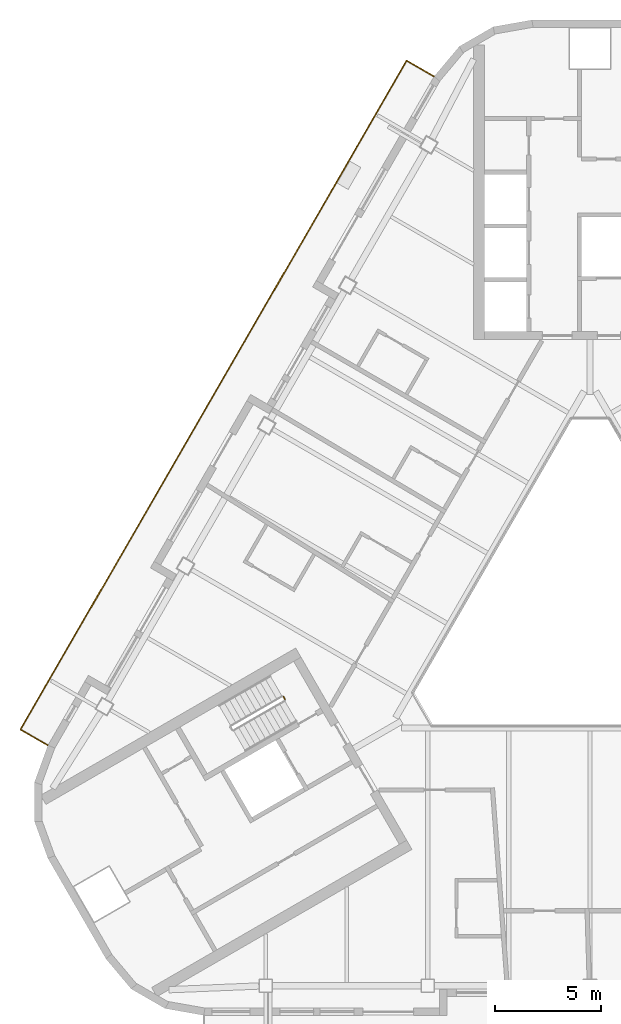
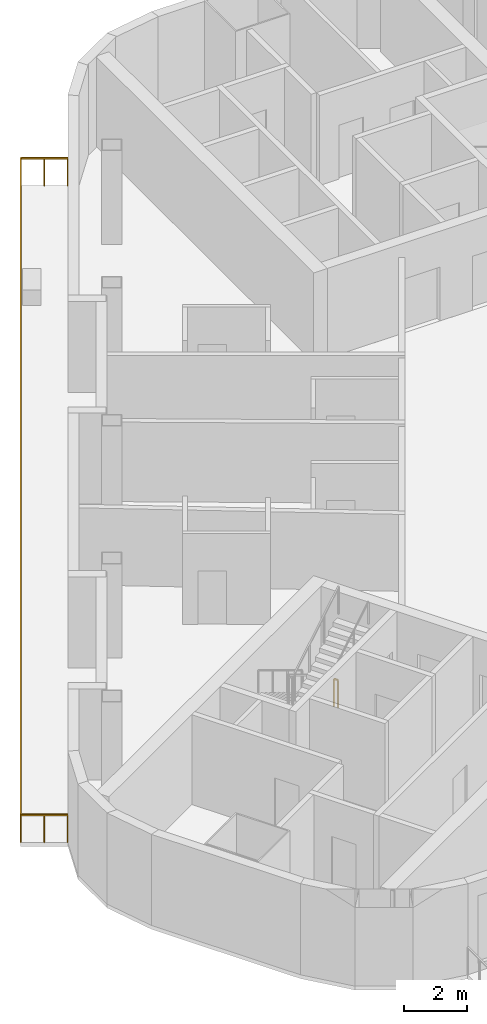
# One storey, part 11 of 14: 2 railings.
"""IFC4 building model written with IfcOpenShell, lengths in metres."""

import ifcopenshell
import ifcopenshell.guid

model = None  # the IFC model being written
_history = None  # IfcOwnerHistory: only IFC2X3 demands one
_inside = {}  # id of a spatial element -> (the spatial element, [elements in it])
_under = {}  # id of a project, library or spatial element -> (it, [spatial elements below it])
_declared = {}  # id of a project -> (the project, [libraries it declares])
_typed = {}  # id of a type object -> (the type object, [elements of that type])
_made_of = {}  # id of a material, layer set ... -> (it, [elements and type objects made of it])


def new_model(schema):
    """Start an empty IFC model of exactly this schema.

    Asked for "IFC4X3", IfcOpenShell would pick the latest addendum, in which some entities
    have other attributes; the version numbers below select the first issue.
    IFC2X3 requires an IfcOwnerHistory on every rooted entity: one is made here for all.
    """
    global model, _history
    if schema == "IFC4X3":
        model = ifcopenshell.file(schema_version=(4, 3, 0, 0))
    else:
        model = ifcopenshell.file(schema=schema)
    _inside.clear()
    _under.clear()
    _declared.clear()
    _typed.clear()
    _made_of.clear()
    _history = None
    if model.schema == "IFC2X3":
        org = make("IfcOrganization", Name="unknown")
        user = make(
            "IfcPersonAndOrganization",
            ThePerson=make("IfcPerson", FamilyName="unknown"),
            TheOrganization=org,
        )
        app = make(
            "IfcApplication",
            ApplicationDeveloper=org,
            Version="unknown",
            ApplicationFullName="unknown",
            ApplicationIdentifier="unknown",
        )
        _history = make(
            "IfcOwnerHistory",
            OwningUser=user,
            OwningApplication=app,
            ChangeAction="ADDED",
            CreationDate=0,
        )
    return model


def make(cls, **values):
    """One entity of the class cls with the attributes given. An attribute that is None is left unset."""
    return model.create_entity(
        cls, **{name: value for name, value in values.items() if value is not None}
    )


def rooted(cls, **values):
    """An entity with a GlobalId (a new one), such as an element, a storey or a relation."""
    return make(cls, GlobalId=ifcopenshell.guid.new(), OwnerHistory=_history, **values)


def si_unit(unit_type, name, prefix=None):
    """IfcSIUnit, for example si_unit("LENGTHUNIT", "METRE", prefix="MILLI")."""
    return make("IfcSIUnit", UnitType=unit_type, Prefix=prefix, Name=name)


def assignment(units):
    """IfcUnitAssignment: the units of a project."""
    return None if units is None else make("IfcUnitAssignment", Units=units)


def point(xyz):
    """IfcCartesianPoint."""
    return None if xyz is None else make("IfcCartesianPoint", Coordinates=xyz)


def direction(xyz):
    """IfcDirection."""
    return None if xyz is None else make("IfcDirection", DirectionRatios=xyz)


def frame(location, z_axis=None, x_axis=None):
    """IfcAxis2Placement3D, a coordinate frame: its origin and axes. An axis left out is left unset."""
    return make(
        "IfcAxis2Placement3D",
        Location=point(location),
        Axis=direction(z_axis),
        RefDirection=direction(x_axis),
    )


def frame_2d(location, x_axis=None):
    """IfcAxis2Placement2D, a coordinate frame in the plane: its origin and x axis."""
    return make(
        "IfcAxis2Placement2D", Location=point(location), RefDirection=direction(x_axis)
    )


def origin():
    """The frame at (0, 0, 0) with its axes left unset."""
    return frame((0.0, 0.0, 0.0))


def origin_2d():
    """The frame at (0, 0) in the plane with its x axis left unset."""
    return frame_2d((0.0, 0.0))


def place(relative_to, where):
    """IfcLocalPlacement: puts the frame where relative to a parent placement (None: the world)."""
    return make(
        "IfcLocalPlacement", PlacementRelTo=relative_to, RelativePlacement=where
    )


def context(
    kind, dimensions, precision=None, world=None, true_north=None, identifier=None
):
    """IfcGeometricRepresentationContext, for example the 3D "Model" context."""
    return make(
        "IfcGeometricRepresentationContext",
        ContextIdentifier=identifier,
        ContextType=kind,
        CoordinateSpaceDimension=dimensions,
        Precision=precision,
        WorldCoordinateSystem=world,
        TrueNorth=true_north,
    )


def subcontext(parent, identifier, kind, view, scale=None):
    """IfcGeometricRepresentationSubContext, for example "Body" below "Model"."""
    return make(
        "IfcGeometricRepresentationSubContext",
        ContextIdentifier=identifier,
        ContextType=kind,
        ParentContext=parent,
        TargetScale=scale,
        TargetView=view,
    )


def project(units=None, contexts=None):
    """IfcProject with its units and contexts."""
    return rooted(
        "IfcProject",
        Name="project",
        RepresentationContexts=contexts,
        UnitsInContext=assignment(units),
    )


def spatial(cls, under=None, at=None, **own):
    """A site, building, storey or space (cls), placed at a placement, below another one or the project."""
    s = rooted(cls, ObjectPlacement=at, **own)
    if under is not None:
        _under.setdefault(under.id(), (under, []))[1].append(s)
    return s


def profile(cls, at=None, kind="AREA", **sizes):
    """A parametric profile (cls). Its sizes go by their IFC names, for example OverallWidth=200.0."""
    return make(cls, ProfileType=kind, Position=at, **sizes)


def rectangle(**sizes):
    """IfcRectangleProfileDef."""
    return profile("IfcRectangleProfileDef", **sizes)


def extrude(swept, where, along, depth):
    """IfcExtrudedAreaSolid: the profile swept, set in the frame where, extruded along a direction by depth."""
    return make(
        "IfcExtrudedAreaSolid",
        SweptArea=swept,
        Position=where,
        ExtrudedDirection=direction(along),
        Depth=depth,
    )


def shape(context_of_items, identifier, shape_type, items):
    """IfcShapeRepresentation: the items that make up one representation, for example the "Body"."""
    return make(
        "IfcShapeRepresentation",
        ContextOfItems=context_of_items,
        RepresentationIdentifier=identifier,
        RepresentationType=shape_type,
        Items=items,
    )


def material(Name=None, Category=None):
    """IfcMaterial."""
    return make("IfcMaterial", Name=Name, Category=Category)


def made_of(thing, what):
    """Note that an element or type object is made of a material, layer set ...; save() writes the relation."""
    if what is not None:
        _made_of.setdefault(what.id(), (what, []))[1].append(thing)
    return thing


def type_object(cls, material=None, **own):
    """A type object (cls), such as IfcWallType, which elements share."""
    return made_of(rooted(cls, **own), material)


def element(
    cls,
    number,
    at=None,
    inside=None,
    cuts=None,
    type_object=None,
    material=None,
    context=None,
    identifier="Body",
    shape_type=None,
    held_by="IfcProductDefinitionShape",
    body=None,
    shapes=None,
    **own,
):
    """One element of the class cls, such as IfcWall. Its Tag is "e" and its number.

    at: its placement. inside: the storey or other place that contains it. cuts: it is an
    opening in that element (IfcRelVoidsElement). A single representation is given by context,
    identifier, shape_type and body (its items); several are given by shapes. held_by: the class
    of the entity that holds the representations. save() writes the other relations.
    """
    e = rooted(cls, Tag="e%d" % number, ObjectPlacement=at, **own)
    if body is not None:
        shapes = [shape(context, identifier, shape_type, body)]
    if shapes is not None:
        e.Representation = make(held_by, Representations=shapes)
    if inside is not None:
        _inside.setdefault(inside.id(), (inside, []))[1].append(e)
    if cuts is not None:
        rooted(
            "IfcRelVoidsElement", RelatingBuildingElement=cuts, RelatedOpeningElement=e
        )
    if type_object is not None:
        _typed.setdefault(type_object.id(), (type_object, []))[1].append(e)
    return made_of(e, material)


def aggregate(whole, parts):
    """IfcRelAggregates: a whole, such as a stair, and the parts it consists of."""
    return rooted("IfcRelAggregates", RelatingObject=whole, RelatedObjects=parts)


def save(model, path):
    """Write the relations noted so far, then the file.

    IfcRelAggregates (storeys below a building ...), IfcRelContainedInSpatialStructure (elements
    in a storey), IfcRelDefinesByType, IfcRelAssociatesMaterial and IfcRelDeclares: one each for
    every whole, place, type object, material and project.
    """
    for whole, parts in _under.values():
        aggregate(whole, parts)
    for where, things in _inside.values():
        rooted(
            "IfcRelContainedInSpatialStructure",
            RelatedElements=things,
            RelatingStructure=where,
        )
    for kind, things in _typed.values():
        rooted("IfcRelDefinesByType", RelatedObjects=things, RelatingType=kind)
    for what, things in _made_of.values():
        rooted("IfcRelAssociatesMaterial", RelatedObjects=things, RelatingMaterial=what)
    for by, libraries in _declared.values():
        rooted("IfcRelDeclares", RelatingContext=by, RelatedDefinitions=libraries)
    model.write(path)


model = new_model("IFC4")

# Units and contexts
model_context = context("Model", 3, precision=1e-05, world=origin(), true_north=direction((0.0, 1.0)))
body_context = subcontext(model_context, "Body", "Model", "MODEL_VIEW")
ifc_project = project(units=[si_unit("LENGTHUNIT", "METRE"), si_unit("AREAUNIT", "SQUARE_METRE"), si_unit("VOLUMEUNIT", "CUBIC_METRE"), si_unit("PLANEANGLEUNIT", "RADIAN"), si_unit("MASSUNIT", "GRAM", prefix="KILO")], contexts=[model_context])

# Site, building, storey
site_placement = place(None, origin())
site = spatial("IfcSite", under=ifc_project, at=site_placement, CompositionType="ELEMENT")
building_placement = place(site_placement, origin())
building = spatial("IfcBuilding", under=site, at=building_placement, Name="Apuvela Tower Hotel", CompositionType="ELEMENT")
storey_placement = place(building_placement, frame((0.0, 0.0, 261.5)))
storey = spatial("IfcBuildingStorey", under=building, at=storey_placement, Name="L64", CompositionType="ELEMENT", Elevation=261.5)

# Railings
ifc_material_1 = material(Name="Steel S275 balustrade", Category="steel")
railing_type_1 = type_object("IfcRailingType", Name="COR-GUARD-1100", PredefinedType="GUARDRAIL", material=ifc_material_1)
railing_1_placement = place(storey_placement, frame((-14.500732421875, -3.984130859375, 0.0)))
element("IfcRailing", 1, at=railing_1_placement, inside=storey, type_object=railing_type_1, Name="L64 ST2 stair guard 4", PredefinedType="GUARDRAIL", context=body_context, shape_type="SweptSolid", body=[
    extrude(rectangle(XDim=0.048095703125, YDim=0.048095703125, at=origin_2d()), frame((0.0, 0.0, 1.076171875), z_axis=(0.499816412211, -0.866131372301, 0.0), x_axis=(0.866131372301, 0.499816412211, 0.0)), (0.0, 0.0, 1.0), 0.14990234375),
    extrude(rectangle(XDim=0.0419921875, YDim=0.0419921875, at=origin_2d()), origin(), (0.0, 0.0, 1.0), 1.052001953125),
    extrude(rectangle(XDim=0.0419921875, YDim=0.0419921875, at=origin_2d()), frame((0.074951171875, -0.1298828125, 0.0)), (0.0, 0.0, 1.0), 1.052001953125),
])
ifc_material_2 = material(Name="Stainless steel 316 rail with laminated glass infill", Category="steel")
railing_type_2 = type_object("IfcRailingType", Name="ENV-GUARD-1100", PredefinedType="GUARDRAIL", material=ifc_material_2)
railing_2_placement = place(storey_placement, frame((-7.372802734375, 25.355712890625, 0.0)))
element("IfcRailing", 2, at=railing_2_placement, inside=storey, type_object=railing_type_2, Name="Balcony guard NW L64", PredefinedType="GUARDRAIL", context=body_context, shape_type="SweptSolid", body=[
    extrude(rectangle(XDim=0.050048828125, YDim=0.050048828125, at=origin_2d()), frame((0.0, 0.0, 1.0751953125), z_axis=(-0.866031096941, 0.499990139034, 0.0), x_axis=(-0.499990139034, -0.866031096941, 0.0)), (0.0, 0.0, 1.0), 1.5),
    extrude(rectangle(XDim=0.050048828125, YDim=0.050048828125, at=origin_2d()), frame((-1.299072265625, 0.75, 1.0751953125), z_axis=(-0.499999648787, -0.866025606557, 0.0), x_axis=(0.866025606557, -0.499999648787, 0.0)), (0.0, 0.0, 1.0), 36.54443359375),
    extrude(rectangle(XDim=0.050048828125, YDim=0.050048828125, at=origin_2d()), frame((-19.5712890625, -30.8984375, 1.0751953125), z_axis=(0.866031096941, -0.499990139034, 0.0), x_axis=(0.499990139034, 0.866031096941, 0.0)), (0.0, 0.0, 1.0), 1.5),
    extrude(rectangle(XDim=0.0400390625, YDim=0.0400390625, at=origin_2d()), origin(), (0.0, 0.0, 1.0), 1.050048828125),
    extrude(rectangle(XDim=0.0400390625, YDim=0.0400390625, at=origin_2d()), frame((-0.6494140625, 0.375, 0.0)), (0.0, 0.0, 1.0), 1.050048828125),
    extrude(rectangle(XDim=0.0400390625, YDim=0.0400390625, at=origin_2d()), frame((-1.299072265625, 0.75, 0.0)), (0.0, 0.0, 1.0), 1.050048828125),
    extrude(rectangle(XDim=0.0400390625, YDim=0.0400390625, at=origin_2d()), frame((-1.888427734375, -0.27099609375, 0.0)), (0.0, 0.0, 1.0), 1.050048828125),
    extrude(rectangle(XDim=0.0400390625, YDim=0.0400390625, at=origin_2d()), frame((-2.47802734375, -1.291748046875, 0.0)), (0.0, 0.0, 1.0), 1.050048828125),
    extrude(rectangle(XDim=0.0400390625, YDim=0.0400390625, at=origin_2d()), frame((-3.0673828125, -2.312744140625, 0.0)), (0.0, 0.0, 1.0), 1.050048828125),
    extrude(rectangle(XDim=0.0400390625, YDim=0.0400390625, at=origin_2d()), frame((-3.65673828125, -3.333740234375, 0.0)), (0.0, 0.0, 1.0), 1.050048828125),
    extrude(rectangle(XDim=0.0400390625, YDim=0.0400390625, at=origin_2d()), frame((-4.24609375, -4.3544921875, 0.0)), (0.0, 0.0, 1.0), 1.050048828125),
    extrude(rectangle(XDim=0.0400390625, YDim=0.0400390625, at=origin_2d()), frame((-4.835693359375, -5.37548828125, 0.0)), (0.0, 0.0, 1.0), 1.050048828125),
    extrude(rectangle(XDim=0.0400390625, YDim=0.0400390625, at=origin_2d()), frame((-5.425048828125, -6.396484375, 0.0)), (0.0, 0.0, 1.0), 1.050048828125),
    extrude(rectangle(XDim=0.0400390625, YDim=0.0400390625, at=origin_2d()), frame((-6.014404296875, -7.417236328125, 0.0)), (0.0, 0.0, 1.0), 1.050048828125),
    extrude(rectangle(XDim=0.0400390625, YDim=0.0400390625, at=origin_2d()), frame((-6.60400390625, -8.438232421875, 0.0)), (0.0, 0.0, 1.0), 1.050048828125),
    extrude(rectangle(XDim=0.0400390625, YDim=0.0400390625, at=origin_2d()), frame((-7.193359375, -9.459228515625, 0.0)), (0.0, 0.0, 1.0), 1.050048828125),
    extrude(rectangle(XDim=0.0400390625, YDim=0.0400390625, at=origin_2d()), frame((-7.78271484375, -10.47998046875, 0.0)), (0.0, 0.0, 1.0), 1.050048828125),
    extrude(rectangle(XDim=0.0400390625, YDim=0.0400390625, at=origin_2d()), frame((-8.3720703125, -11.5009765625, 0.0)), (0.0, 0.0, 1.0), 1.050048828125),
    extrude(rectangle(XDim=0.0400390625, YDim=0.0400390625, at=origin_2d()), frame((-8.961669921875, -12.52197265625, 0.0)), (0.0, 0.0, 1.0), 1.050048828125),
    extrude(rectangle(XDim=0.0400390625, YDim=0.0400390625, at=origin_2d()), frame((-9.551025390625, -13.542724609375, 0.0)), (0.0, 0.0, 1.0), 1.050048828125),
    extrude(rectangle(XDim=0.0400390625, YDim=0.0400390625, at=origin_2d()), frame((-10.140380859375, -14.563720703125, 0.0)), (0.0, 0.0, 1.0), 1.050048828125),
    extrude(rectangle(XDim=0.0400390625, YDim=0.0400390625, at=origin_2d()), frame((-10.72998046875, -15.584716796875, 0.0)), (0.0, 0.0, 1.0), 1.050048828125),
    extrude(rectangle(XDim=0.0400390625, YDim=0.0400390625, at=origin_2d()), frame((-11.3193359375, -16.605712890625, 0.0)), (0.0, 0.0, 1.0), 1.050048828125),
    extrude(rectangle(XDim=0.0400390625, YDim=0.0400390625, at=origin_2d()), frame((-11.90869140625, -17.62646484375, 0.0)), (0.0, 0.0, 1.0), 1.050048828125),
    extrude(rectangle(XDim=0.0400390625, YDim=0.0400390625, at=origin_2d()), frame((-12.498291015625, -18.6474609375, 0.0)), (0.0, 0.0, 1.0), 1.050048828125),
    extrude(rectangle(XDim=0.0400390625, YDim=0.0400390625, at=origin_2d()), frame((-13.087646484375, -19.66845703125, 0.0)), (0.0, 0.0, 1.0), 1.050048828125),
    extrude(rectangle(XDim=0.0400390625, YDim=0.0400390625, at=origin_2d()), frame((-13.677001953125, -20.689208984375, 0.0)), (0.0, 0.0, 1.0), 1.050048828125),
    extrude(rectangle(XDim=0.0400390625, YDim=0.0400390625, at=origin_2d()), frame((-14.266357421875, -21.710205078125, 0.0)), (0.0, 0.0, 1.0), 1.050048828125),
    extrude(rectangle(XDim=0.0400390625, YDim=0.0400390625, at=origin_2d()), frame((-14.85595703125, -22.731201171875, 0.0)), (0.0, 0.0, 1.0), 1.050048828125),
    extrude(rectangle(XDim=0.0400390625, YDim=0.0400390625, at=origin_2d()), frame((-15.4453125, -23.751953125, 0.0)), (0.0, 0.0, 1.0), 1.050048828125),
    extrude(rectangle(XDim=0.0400390625, YDim=0.0400390625, at=origin_2d()), frame((-16.03466796875, -24.77294921875, 0.0)), (0.0, 0.0, 1.0), 1.050048828125),
    extrude(rectangle(XDim=0.0400390625, YDim=0.0400390625, at=origin_2d()), frame((-16.624267578125, -25.7939453125, 0.0)), (0.0, 0.0, 1.0), 1.050048828125),
    extrude(rectangle(XDim=0.0400390625, YDim=0.0400390625, at=origin_2d()), frame((-17.213623046875, -26.814697265625, 0.0)), (0.0, 0.0, 1.0), 1.050048828125),
    extrude(rectangle(XDim=0.0400390625, YDim=0.0400390625, at=origin_2d()), frame((-17.802978515625, -27.835693359375, 0.0)), (0.0, 0.0, 1.0), 1.050048828125),
    extrude(rectangle(XDim=0.0400390625, YDim=0.0400390625, at=origin_2d()), frame((-18.392333984375, -28.856689453125, 0.0)), (0.0, 0.0, 1.0), 1.050048828125),
    extrude(rectangle(XDim=0.0400390625, YDim=0.0400390625, at=origin_2d()), frame((-18.98193359375, -29.87744140625, 0.0)), (0.0, 0.0, 1.0), 1.050048828125),
    extrude(rectangle(XDim=0.0400390625, YDim=0.0400390625, at=origin_2d()), frame((-19.5712890625, -30.8984375, 0.0)), (0.0, 0.0, 1.0), 1.050048828125),
    extrude(rectangle(XDim=0.0400390625, YDim=0.0400390625, at=origin_2d()), frame((-18.921875, -31.2734375, 0.0)), (0.0, 0.0, 1.0), 1.050048828125),
    extrude(rectangle(XDim=0.0400390625, YDim=0.0400390625, at=origin_2d()), frame((-18.272216796875, -31.6484375, 0.0)), (0.0, 0.0, 1.0), 1.050048828125),
])

save(model, "model.ifc")
